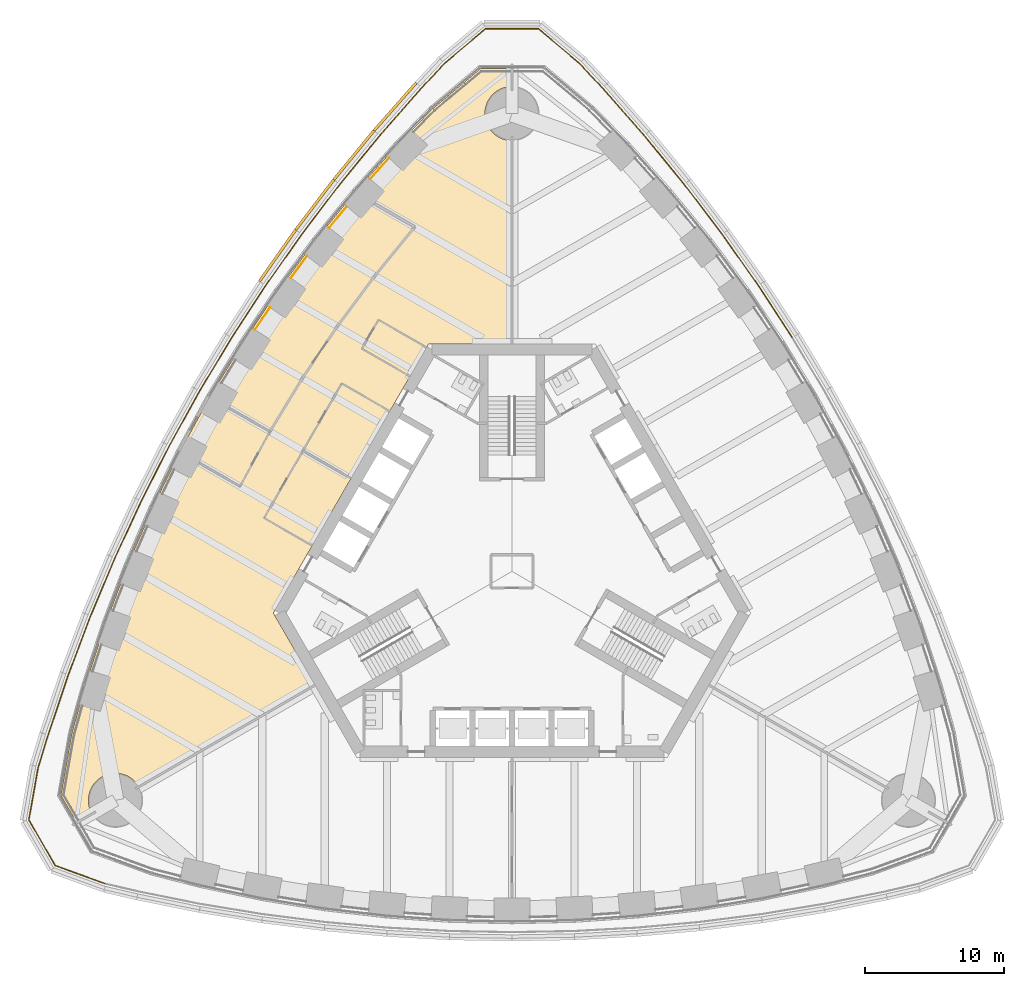
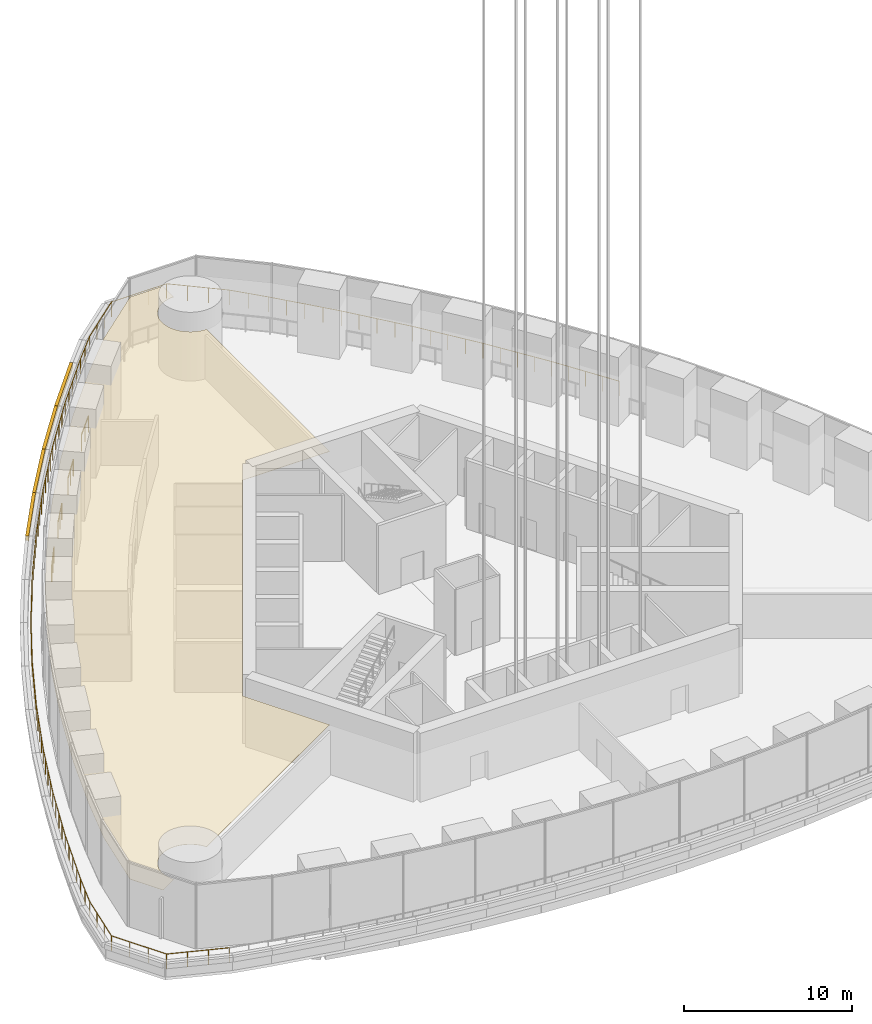
# One storey, part 19 of 31: 5 coverings, 5 railings.
"""IFC4 building model written with IfcOpenShell, lengths in metres."""

from ifc_helpers import new_model, si_unit, direction, frame, origin, origin_2d, place, context, subcontext, project, spatial, polyline, rectangle, circle, outline, extrude, material, layer, layer_set, type_object, element, save


model = new_model("IFC4")

# Units and contexts
model_context = context("Model", 3, precision=1e-05, world=origin(), true_north=direction((0.0, 1.0)))
body_context = subcontext(model_context, "Body", "Model", "MODEL_VIEW")
ifc_project = project(units=[si_unit("LENGTHUNIT", "METRE"), si_unit("AREAUNIT", "SQUARE_METRE"), si_unit("VOLUMEUNIT", "CUBIC_METRE"), si_unit("PLANEANGLEUNIT", "RADIAN"), si_unit("MASSUNIT", "GRAM", prefix="KILO")], contexts=[model_context])

# Site, building, storey
site_placement = place(None, origin())
site = spatial("IfcSite", under=ifc_project, at=site_placement, CompositionType="ELEMENT")
building_placement = place(site_placement, origin())
building = spatial("IfcBuilding", under=site, at=building_placement, Name="Trefoil Bronze Tower", CompositionType="ELEMENT")
storey_placement = place(building_placement, frame((0.0, 0.0, 184.699951171875)))
storey = spatial("IfcBuildingStorey", under=building, at=storey_placement, Name="L42", CompositionType="ELEMENT", Elevation=184.699951171875)

# Covering
ifc_material_1 = material(Name="Bronze metal ceiling panels", Category="metal")
ifc_layer = layer(ifc_material_1, 0.02001953125)
ifc_layer_set = layer_set([ifc_layer], Name="Feature ceiling 20")
covering_type_1 = type_object("IfcCoveringType", Name="Feature ceiling 20", PredefinedType="CEILING", material=ifc_layer_set)
covering_1_placement = place(storey_placement, frame((0.0, 0.0, 3.60009765625)))
element("IfcCovering", 1, at=covering_1_placement, inside=storey, type_object=covering_type_1, Name="Ceiling L42 Fitness centre F3", PredefinedType="CEILING", context=body_context, shape_type="SweptSolid", body=[
    extrude(outline(polyline([(-30.76318359375, -8.219482421875), (-29.3369140625, -3.846923828125), (-27.7216796875, 0.416748046875), (-25.92236328125, 4.573974609375), (-23.94140625, 8.62646484375), (-21.781005859375, 12.5751953125), (-19.44140625, 16.420654296875), (-16.92236328125, 20.162353515625), (-14.2216796875, 23.79931640625), (-11.3369140625, 27.329833984375), (-8.26318359375, 30.751708984375), (-5.7734375, 33.30126953125), (-2.280029296875, 36.232666015625), (-0.013671875, 36.232666015625), (-0.01318359375, 34.94970703125), (-0.095703125, 34.94775390625), (-0.191162109375, 34.940673828125), (-0.2861328125, 34.928955078125), (-0.38037109375, 34.91259765625), (-0.473876953125, 34.8916015625), (-0.566162109375, 34.865966796875), (-0.656982421875, 34.8359375), (-0.74609375, 34.801513671875), (-0.833740234375, 34.7626953125), (-0.919189453125, 34.7197265625), (-1.00244140625, 34.672607421875), (-1.08349609375, 34.621337890625), (-1.16162109375, 34.56640625), (-1.237060546875, 34.50732421875), (-1.3095703125, 34.44482421875), (-1.37890625, 34.37890625), (-1.44482421875, 34.3095703125), (-1.50732421875, 34.237060546875), (-1.56640625, 34.16162109375), (-1.621337890625, 34.08349609375), (-1.672607421875, 34.00244140625), (-1.7197265625, 33.919189453125), (-1.7626953125, 33.833740234375), (-1.801513671875, 33.74609375), (-1.8359375, 33.656982421875), (-1.865966796875, 33.566162109375), (-1.8916015625, 33.473876953125), (-1.91259765625, 33.38037109375), (-1.928955078125, 33.2861328125), (-1.940673828125, 33.191162109375), (-1.94775390625, 33.095703125), (-1.949951171875, 33.0), (-1.94775390625, 32.904296875), (-1.940673828125, 32.808837890625), (-1.928955078125, 32.7138671875), (-1.91259765625, 32.61962890625), (-1.8916015625, 32.526123046875), (-1.865966796875, 32.433837890625), (-1.8359375, 32.343017578125), (-1.801513671875, 32.25390625), (-1.7626953125, 32.166259765625), (-1.7197265625, 32.080810546875), (-1.672607421875, 31.99755859375), (-1.621337890625, 31.91650390625), (-1.56640625, 31.83837890625), (-1.50732421875, 31.762939453125), (-1.44482421875, 31.6904296875), (-1.37890625, 31.62109375), (-1.3095703125, 31.55517578125), (-1.237060546875, 31.49267578125), (-1.16162109375, 31.43359375), (-1.08349609375, 31.378662109375), (-1.00244140625, 31.327392578125), (-0.919189453125, 31.2802734375), (-0.833740234375, 31.2373046875), (-0.74609375, 31.198486328125), (-0.656982421875, 31.1640625), (-0.566162109375, 31.134033203125), (-0.473876953125, 31.1083984375), (-0.38037109375, 31.08740234375), (-0.2861328125, 31.071044921875), (-0.191162109375, 31.059326171875), (-0.095703125, 31.05224609375), (-0.01171875, 31.05029296875), (-0.006103515625, 16.39990234375), (-6.00439453125, 16.39990234375), (-17.205078125, -3.0), (-14.205810546875, -8.194580078125), (-26.896240234375, -15.51513671875), (-26.95751953125, -15.41650390625), (-27.0126953125, -15.33837890625), (-27.071533203125, -15.262939453125), (-27.134033203125, -15.1904296875), (-27.199951171875, -15.12109375), (-27.269287109375, -15.05517578125), (-27.341796875, -14.99267578125), (-27.417236328125, -14.93359375), (-27.49560546875, -14.878662109375), (-27.576416015625, -14.827392578125), (-27.65966796875, -14.7802734375), (-27.7451171875, -14.7373046875), (-27.83251953125, -14.698486328125), (-27.921875, -14.6640625), (-28.0126953125, -14.634033203125), (-28.10498046875, -14.6083984375), (-28.198486328125, -14.58740234375), (-28.292724609375, -14.571044921875), (-28.3876953125, -14.559326171875), (-28.483154296875, -14.55224609375), (-28.578857421875, -14.550048828125), (-28.674560546875, -14.55224609375), (-28.77001953125, -14.559326171875), (-28.864990234375, -14.571044921875), (-28.959228515625, -14.58740234375), (-29.052490234375, -14.6083984375), (-29.14501953125, -14.634033203125), (-29.23583984375, -14.6640625), (-29.3251953125, -14.698486328125), (-29.41259765625, -14.7373046875), (-29.498046875, -14.7802734375), (-29.581298828125, -14.827392578125), (-29.662109375, -14.878662109375), (-29.740478515625, -14.93359375), (-29.81591796875, -14.99267578125), (-29.888427734375, -15.05517578125), (-29.957763671875, -15.12109375), (-30.023681640625, -15.1904296875), (-30.086181640625, -15.262939453125), (-30.14501953125, -15.33837890625), (-30.2001953125, -15.41650390625), (-30.25146484375, -15.49755859375), (-30.298583984375, -15.580810546875), (-30.341552734375, -15.666259765625), (-30.38037109375, -15.75390625), (-30.414794921875, -15.843017578125), (-30.44482421875, -15.933837890625), (-30.470458984375, -16.026123046875), (-30.491455078125, -16.11962890625), (-30.5078125, -16.2138671875), (-30.519287109375, -16.308837890625), (-30.526611328125, -16.404296875), (-30.52880859375, -16.5), (-30.526611328125, -16.595703125), (-30.519287109375, -16.691162109375), (-30.5078125, -16.7861328125), (-30.491455078125, -16.88037109375), (-30.470458984375, -16.973876953125), (-30.44482421875, -17.066162109375), (-30.414794921875, -17.156982421875), (-30.38037109375, -17.24609375), (-30.341552734375, -17.333740234375), (-30.298583984375, -17.419189453125), (-30.273681640625, -17.46337890625), (-31.385009765625, -18.1044921875), (-32.518310546875, -16.1416015625), (-31.7265625, -11.650634765625), (-30.76318359375, -8.219482421875)])), origin(), (0.0, 0.0, 1.0), 0.02001953125),
])

# Railings
ifc_material_2 = material(Name="Bronze-finish steel guard rail and posts", Category="steel")
railing_type_1 = type_object("IfcRailingType", Name="Glazing guard 1200", PredefinedType="GUARDRAIL", material=ifc_material_2)
railing_1_placement = place(storey_placement, frame((-8.86474609375, 29.789306640625, 0.0)))
element("IfcRailing", 2, at=railing_1_placement, inside=storey, type_object=railing_type_1, Name="Glazing guard L42.29", PredefinedType="GUARDRAIL", context=body_context, shape_type="SweptSolid", body=[
    extrude(circle(Radius=0.02392578125, at=origin_2d()), frame((0.0, 0.0, 1.17578125), z_axis=(-0.668212458331, -0.743970503805, 0.0), x_axis=(0.743970503805, -0.668212458331, 0.0)), (0.0, 0.0, 1.0), 2.027099609375),
    extrude(circle(Radius=0.02099609375, at=origin_2d()), origin(), (0.0, 0.0, 1.0), 1.15185546875),
    extrude(circle(Radius=0.02099609375, at=origin_2d()), frame((-0.67724609375, -0.75390625, 0.0)), (0.0, 0.0, 1.0), 1.15185546875),
    extrude(circle(Radius=0.02099609375, at=origin_2d()), frame((-1.3544921875, -1.508056640625, 0.0)), (0.0, 0.0, 1.0), 1.15185546875),
])
railing_2_placement = place(storey_placement, frame((-11.9150390625, 26.310302734375, 0.0)))
element("IfcRailing", 3, at=railing_2_placement, inside=storey, type_object=railing_type_1, Name="Glazing guard L42.30", PredefinedType="GUARDRAIL", context=body_context, shape_type="SweptSolid", body=[
    extrude(circle(Radius=0.02392578125, at=origin_2d()), frame((0.0, 0.0, 1.17578125), z_axis=(-0.632735969406, -0.774367608452, 0.0), x_axis=(0.774367608452, -0.632735969406, 0.0)), (0.0, 0.0, 1.0), 1.987548828125),
    extrude(circle(Radius=0.02099609375, at=origin_2d()), origin(), (0.0, 0.0, 1.0), 1.15185546875),
    extrude(circle(Radius=0.02099609375, at=origin_2d()), frame((-0.62890625, -0.76953125, 0.0)), (0.0, 0.0, 1.0), 1.15185546875),
    extrude(circle(Radius=0.02099609375, at=origin_2d()), frame((-1.257568359375, -1.5390625, 0.0)), (0.0, 0.0, 1.0), 1.15185546875),
])
railing_3_placement = place(storey_placement, frame((-14.773681640625, 22.72265625, 0.0)))
element("IfcRailing", 4, at=railing_3_placement, inside=storey, type_object=railing_type_1, Name="Glazing guard L42.31", PredefinedType="GUARDRAIL", context=body_context, shape_type="SweptSolid", body=[
    extrude(circle(Radius=0.02392578125, at=origin_2d()), frame((0.0, 0.0, 1.17578125), z_axis=(-0.596202309581, -0.802834233232, 0.0), x_axis=(0.802834233232, -0.596202309581, 0.0)), (0.0, 0.0, 1.0), 1.957763671875),
    extrude(circle(Radius=0.02099609375, at=origin_2d()), origin(), (0.0, 0.0, 1.0), 1.15185546875),
    extrude(circle(Radius=0.02099609375, at=origin_2d()), frame((-0.58349609375, -0.785888671875, 0.0)), (0.0, 0.0, 1.0), 1.15185546875),
    extrude(circle(Radius=0.02099609375, at=origin_2d()), frame((-1.167236328125, -1.57177734375, 0.0)), (0.0, 0.0, 1.0), 1.15185546875),
])
railing_4_placement = place(storey_placement, frame((-17.4443359375, 19.02978515625, 0.0)))
element("IfcRailing", 5, at=railing_4_placement, inside=storey, type_object=railing_type_1, Name="Glazing guard L42.32", PredefinedType="GUARDRAIL", context=body_context, shape_type="SweptSolid", body=[
    extrude(circle(Radius=0.02392578125, at=origin_2d()), frame((0.0, 0.0, 1.17578125), z_axis=(-0.558503087208, -0.829502442178, 0.0), x_axis=(0.829502442178, -0.558503087208, 0.0)), (0.0, 0.0, 1.0), 1.937744140625),
    extrude(circle(Radius=0.02099609375, at=origin_2d()), origin(), (0.0, 0.0, 1.0), 1.15185546875),
    extrude(circle(Radius=0.02099609375, at=origin_2d()), frame((-0.541015625, -0.8037109375, 0.0)), (0.0, 0.0, 1.0), 1.15185546875),
    extrude(circle(Radius=0.02099609375, at=origin_2d()), frame((-1.082275390625, -1.607421875, 0.0)), (0.0, 0.0, 1.0), 1.15185546875),
])
ifc_material_3 = material(Name="Galvanised steel guard rail and posts", Category="steel")
railing_type_2 = type_object("IfcRailingType", Name="Roof edge guard 1100", PredefinedType="GUARDRAIL", material=ifc_material_3)
railing_5_placement = place(storey_placement, frame((20.196044921875, 16.8564453125, 0.300048828125)))
element("IfcRailing", 6, at=railing_5_placement, inside=storey, type_object=railing_type_2, Name="Roof edge guard L42.2 maintenance access only", PredefinedType="GUARDRAIL", context=body_context, shape_type="SweptSolid", body=[
    extrude(circle(Radius=0.02392578125, at=origin_2d()), frame((0.0, 0.0, 1.076171875), z_axis=(-0.546094247499, 0.837723744948, 0.0), x_axis=(-0.837723744948, -0.546094247499, 0.0)), (0.0, 0.0, 1.0), 4.50634765625),
    extrude(circle(Radius=0.02392578125, at=origin_2d()), frame((-2.4609375, 3.775146484375, 1.076171875), z_axis=(-0.575987178736, 0.817458726745, 0.0), x_axis=(-0.817458726745, -0.575987178736, 0.0)), (0.0, 0.0, 1.0), 4.518310546875),
    extrude(circle(Radius=0.02392578125, at=origin_2d()), frame((-5.0634765625, 7.46875, 1.076171875), z_axis=(-0.605248368565, 0.796036690329, 0.0), x_axis=(-0.796036690329, -0.605248368565, 0.0)), (0.0, 0.0, 1.0), 4.536376953125),
    extrude(circle(Radius=0.02392578125, at=origin_2d()), frame((-7.80908203125, 11.079833984375, 1.076171875), z_axis=(-0.633843962561, 0.773460943503, 0.0), x_axis=(-0.773460943503, -0.633843962561, 0.0)), (0.0, 0.0, 1.0), 4.560546875),
    extrude(circle(Radius=0.02392578125, at=origin_2d()), frame((-10.69970703125, 14.607177734375, 1.076171875), z_axis=(-0.661758815281, 0.749716793461, 0.0), x_axis=(-0.749716793461, -0.661758815281, 0.0)), (0.0, 0.0, 1.0), 4.5908203125),
    extrude(circle(Radius=0.02392578125, at=origin_2d()), frame((-13.73779296875, 18.049072265625, 1.076171875), z_axis=(-0.682533872246, 0.730853961635, 0.0), x_axis=(-0.730853961635, -0.682533872246, 0.0)), (0.0, 0.0, 1.0), 2.420166015625),
    extrude(circle(Radius=0.02392578125, at=origin_2d()), frame((-15.3896484375, 19.81787109375, 1.076171875), z_axis=(-0.766024012698, 0.642811956928, 0.0), x_axis=(-0.642811956928, -0.766024012698, 0.0)), (0.0, 0.0, 1.0), 3.79638671875),
    extrude(circle(Radius=0.02392578125, at=origin_2d()), frame((-18.2978515625, 22.25830078125, 1.076171875), z_axis=(-1.0, 0.0, 0.0), x_axis=(0.0, -1.0, 0.0)), (0.0, 0.0, 1.0), 3.79638671875),
    extrude(circle(Radius=0.02392578125, at=origin_2d()), frame((-22.09423828125, 22.25830078125, 1.076171875), z_axis=(-0.766024012698, -0.642811956928, 0.0), x_axis=(0.642811956928, -0.766024012698, 0.0)), (0.0, 0.0, 1.0), 3.79638671875),
    extrude(circle(Radius=0.02392578125, at=origin_2d()), frame((-25.00244140625, 19.81787109375, 1.076171875), z_axis=(-0.682533872246, -0.730853961635, 0.0), x_axis=(0.730853961635, -0.682533872246, 0.0)), (0.0, 0.0, 1.0), 2.420166015625),
    extrude(circle(Radius=0.02392578125, at=origin_2d()), frame((-26.654296875, 18.049072265625, 1.076171875), z_axis=(-0.661758815281, -0.749716793461, 0.0), x_axis=(0.749716793461, -0.661758815281, 0.0)), (0.0, 0.0, 1.0), 4.5908203125),
    extrude(circle(Radius=0.02392578125, at=origin_2d()), frame((-29.6923828125, 14.607177734375, 1.076171875), z_axis=(-0.633843962561, -0.773460943503, 0.0), x_axis=(0.773460943503, -0.633843962561, 0.0)), (0.0, 0.0, 1.0), 4.560546875),
    extrude(circle(Radius=0.02392578125, at=origin_2d()), frame((-32.5830078125, 11.079833984375, 1.076171875), z_axis=(-0.605248368565, -0.796036690329, 0.0), x_axis=(0.796036690329, -0.605248368565, 0.0)), (0.0, 0.0, 1.0), 4.536376953125),
    extrude(circle(Radius=0.02392578125, at=origin_2d()), frame((-35.32861328125, 7.46875, 1.076171875), z_axis=(-0.575987178736, -0.817458726745, 0.0), x_axis=(0.817458726745, -0.575987178736, 0.0)), (0.0, 0.0, 1.0), 4.518310546875),
    extrude(circle(Radius=0.02392578125, at=origin_2d()), frame((-37.93115234375, 3.775146484375, 1.076171875), z_axis=(-0.546094247499, -0.837723744948, 0.0), x_axis=(0.837723744948, -0.546094247499, 0.0)), (0.0, 0.0, 1.0), 4.50634765625),
    extrude(circle(Radius=0.02392578125, at=origin_2d()), frame((-40.39208984375, 0.0, 1.076171875), z_axis=(-0.515524404457, -0.856874896592, 0.0), x_axis=(0.856874896592, -0.515524404457, 0.0)), (0.0, 0.0, 1.0), 4.5009765625),
    extrude(circle(Radius=0.02392578125, at=origin_2d()), frame((-42.71240234375, -3.856689453125, 1.076171875), z_axis=(-0.484315883017, -0.87489320803, 0.0), x_axis=(0.87489320803, -0.484315883017, 0.0)), (0.0, 0.0, 1.0), 4.50048828125),
    extrude(circle(Radius=0.02392578125, at=origin_2d()), frame((-44.89208984375, -7.794189453125, 1.076171875), z_axis=(-0.452449820092, -0.891789863308, 0.0), x_axis=(0.891789863308, -0.452449820092, 0.0)), (0.0, 0.0, 1.0), 4.5068359375),
    extrude(circle(Radius=0.02392578125, at=origin_2d()), frame((-46.93115234375, -11.813232421875, 1.076171875), z_axis=(-0.419948870618, -0.907547765171, 0.0), x_axis=(0.907547765171, -0.419948870618, 0.0)), (0.0, 0.0, 1.0), 4.518310546875),
    extrude(circle(Radius=0.02392578125, at=origin_2d()), frame((-48.82861328125, -15.913818359375, 1.076171875), z_axis=(-0.386742917128, -0.92218757097, 0.0), x_axis=(0.92218757097, -0.386742917128, 0.0)), (0.0, 0.0, 1.0), 4.536376953125),
    extrude(circle(Radius=0.02392578125, at=origin_2d()), frame((-50.5830078125, -20.09716796875, 1.076171875), z_axis=(-0.35291223767, -0.935656428665, 0.0), x_axis=(0.935656428665, -0.35291223767, 0.0)), (0.0, 0.0, 1.0), 4.560302734375),
    extrude(circle(Radius=0.02392578125, at=origin_2d()), frame((-52.1923828125, -24.364013671875, 1.076171875), z_axis=(-0.318412422979, -0.94795228197, 0.0), x_axis=(0.94795228197, -0.318412422979, 0.0)), (0.0, 0.0, 1.0), 4.59130859375),
    extrude(circle(Radius=0.02392578125, at=origin_2d()), frame((-53.654296875, -28.71630859375, 1.076171875), z_axis=(-0.29166741181, -0.956519796391, 0.0), x_axis=(0.956519796391, -0.29166741181, 0.0)), (0.0, 0.0, 1.0), 2.419921875),
    extrude(circle(Radius=0.02392578125, at=origin_2d()), frame((-54.360107421875, -31.031005859375, 1.076171875), z_axis=(-0.173693619934, -0.984799739233, 0.0), x_axis=(0.984799739233, -0.173693619934, 0.0)), (0.0, 0.0, 1.0), 3.79638671875),
    extrude(circle(Radius=0.02392578125, at=origin_2d()), frame((-55.01953125, -34.769775390625, 1.076171875), z_axis=(0.50003973666, -0.866002460597, 0.0), x_axis=(0.866002460597, 0.50003973666, 0.0)), (0.0, 0.0, 1.0), 3.796630859375),
    extrude(circle(Radius=0.02392578125, at=origin_2d()), frame((-53.12109375, -38.0576171875, 1.076171875), z_axis=(0.939678835491, -0.342058015739, 0.0), x_axis=(0.342058015739, 0.939678835491, 0.0)), (0.0, 0.0, 1.0), 3.79638671875),
    extrude(circle(Radius=0.02099609375, at=origin_2d()), origin(), (0.0, 0.0, 1.0), 1.052001953125),
    extrude(circle(Radius=0.02099609375, at=origin_2d()), frame((-0.615234375, 0.94384765625, 0.0)), (0.0, 0.0, 1.0), 1.052001953125),
    extrude(circle(Radius=0.02099609375, at=origin_2d()), frame((-1.23046875, 1.8876953125, 0.0)), (0.0, 0.0, 1.0), 1.052001953125),
    extrude(circle(Radius=0.02099609375, at=origin_2d()), frame((-1.845703125, 2.831298828125, 0.0)), (0.0, 0.0, 1.0), 1.052001953125),
    extrude(circle(Radius=0.02099609375, at=origin_2d()), frame((-2.4609375, 3.775146484375, 0.0)), (0.0, 0.0, 1.0), 1.052001953125),
    extrude(circle(Radius=0.02099609375, at=origin_2d()), frame((-3.111572265625, 4.698486328125, 0.0)), (0.0, 0.0, 1.0), 1.052001953125),
    extrude(circle(Radius=0.02099609375, at=origin_2d()), frame((-3.76220703125, 5.6220703125, 0.0)), (0.0, 0.0, 1.0), 1.052001953125),
    extrude(circle(Radius=0.02099609375, at=origin_2d()), frame((-4.412841796875, 6.54541015625, 0.0)), (0.0, 0.0, 1.0), 1.052001953125),
    extrude(circle(Radius=0.02099609375, at=origin_2d()), frame((-5.0634765625, 7.46875, 0.0)), (0.0, 0.0, 1.0), 1.052001953125),
    extrude(circle(Radius=0.02099609375, at=origin_2d()), frame((-5.75, 8.37158203125, 0.0)), (0.0, 0.0, 1.0), 1.052001953125),
    extrude(circle(Radius=0.02099609375, at=origin_2d()), frame((-6.436279296875, 9.2744140625, 0.0)), (0.0, 0.0, 1.0), 1.052001953125),
    extrude(circle(Radius=0.02099609375, at=origin_2d()), frame((-7.12255859375, 10.177001953125, 0.0)), (0.0, 0.0, 1.0), 1.052001953125),
    extrude(circle(Radius=0.02099609375, at=origin_2d()), frame((-7.80908203125, 11.079833984375, 0.0)), (0.0, 0.0, 1.0), 1.052001953125),
    extrude(circle(Radius=0.02099609375, at=origin_2d()), frame((-8.53173828125, 11.961669921875, 0.0)), (0.0, 0.0, 1.0), 1.052001953125),
    extrude(circle(Radius=0.02099609375, at=origin_2d()), frame((-9.25439453125, 12.843505859375, 0.0)), (0.0, 0.0, 1.0), 1.052001953125),
    extrude(circle(Radius=0.02099609375, at=origin_2d()), frame((-9.97705078125, 13.725341796875, 0.0)), (0.0, 0.0, 1.0), 1.052001953125),
    extrude(circle(Radius=0.02099609375, at=origin_2d()), frame((-10.69970703125, 14.607177734375, 0.0)), (0.0, 0.0, 1.0), 1.052001953125),
    extrude(circle(Radius=0.02099609375, at=origin_2d()), frame((-11.459228515625, 15.4677734375, 0.0)), (0.0, 0.0, 1.0), 1.052001953125),
    extrude(circle(Radius=0.02099609375, at=origin_2d()), frame((-12.21875, 16.328125, 0.0)), (0.0, 0.0, 1.0), 1.052001953125),
    extrude(circle(Radius=0.02099609375, at=origin_2d()), frame((-12.978271484375, 17.1884765625, 0.0)), (0.0, 0.0, 1.0), 1.052001953125),
    extrude(circle(Radius=0.02099609375, at=origin_2d()), frame((-13.73779296875, 18.049072265625, 0.0)), (0.0, 0.0, 1.0), 1.052001953125),
    extrude(circle(Radius=0.02099609375, at=origin_2d()), frame((-14.563720703125, 18.93359375, 0.0)), (0.0, 0.0, 1.0), 1.052001953125),
    extrude(circle(Radius=0.02099609375, at=origin_2d()), frame((-15.3896484375, 19.81787109375, 0.0)), (0.0, 0.0, 1.0), 1.052001953125),
    extrude(circle(Radius=0.02099609375, at=origin_2d()), frame((-16.359130859375, 20.63134765625, 0.0)), (0.0, 0.0, 1.0), 1.052001953125),
    extrude(circle(Radius=0.02099609375, at=origin_2d()), frame((-17.328369140625, 21.44482421875, 0.0)), (0.0, 0.0, 1.0), 1.052001953125),
    extrude(circle(Radius=0.02099609375, at=origin_2d()), frame((-18.2978515625, 22.25830078125, 0.0)), (0.0, 0.0, 1.0), 1.052001953125),
    extrude(circle(Radius=0.02099609375, at=origin_2d()), frame((-19.563232421875, 22.25830078125, 0.0)), (0.0, 0.0, 1.0), 1.052001953125),
    extrude(circle(Radius=0.02099609375, at=origin_2d()), frame((-20.828857421875, 22.25830078125, 0.0)), (0.0, 0.0, 1.0), 1.052001953125),
    extrude(circle(Radius=0.02099609375, at=origin_2d()), frame((-22.09423828125, 22.25830078125, 0.0)), (0.0, 0.0, 1.0), 1.052001953125),
    extrude(circle(Radius=0.02099609375, at=origin_2d()), frame((-23.063720703125, 21.44482421875, 0.0)), (0.0, 0.0, 1.0), 1.052001953125),
    extrude(circle(Radius=0.02099609375, at=origin_2d()), frame((-24.032958984375, 20.63134765625, 0.0)), (0.0, 0.0, 1.0), 1.052001953125),
    extrude(circle(Radius=0.02099609375, at=origin_2d()), frame((-25.00244140625, 19.81787109375, 0.0)), (0.0, 0.0, 1.0), 1.052001953125),
    extrude(circle(Radius=0.02099609375, at=origin_2d()), frame((-25.828369140625, 18.93359375, 0.0)), (0.0, 0.0, 1.0), 1.052001953125),
    extrude(circle(Radius=0.02099609375, at=origin_2d()), frame((-26.654296875, 18.049072265625, 0.0)), (0.0, 0.0, 1.0), 1.052001953125),
    extrude(circle(Radius=0.02099609375, at=origin_2d()), frame((-27.413818359375, 17.1884765625, 0.0)), (0.0, 0.0, 1.0), 1.052001953125),
    extrude(circle(Radius=0.02099609375, at=origin_2d()), frame((-28.17333984375, 16.328125, 0.0)), (0.0, 0.0, 1.0), 1.052001953125),
    extrude(circle(Radius=0.02099609375, at=origin_2d()), frame((-28.932861328125, 15.4677734375, 0.0)), (0.0, 0.0, 1.0), 1.052001953125),
    extrude(circle(Radius=0.02099609375, at=origin_2d()), frame((-29.6923828125, 14.607177734375, 0.0)), (0.0, 0.0, 1.0), 1.052001953125),
    extrude(circle(Radius=0.02099609375, at=origin_2d()), frame((-30.4150390625, 13.725341796875, 0.0)), (0.0, 0.0, 1.0), 1.052001953125),
    extrude(circle(Radius=0.02099609375, at=origin_2d()), frame((-31.1376953125, 12.843505859375, 0.0)), (0.0, 0.0, 1.0), 1.052001953125),
    extrude(circle(Radius=0.02099609375, at=origin_2d()), frame((-31.8603515625, 11.961669921875, 0.0)), (0.0, 0.0, 1.0), 1.052001953125),
    extrude(circle(Radius=0.02099609375, at=origin_2d()), frame((-32.5830078125, 11.079833984375, 0.0)), (0.0, 0.0, 1.0), 1.052001953125),
    extrude(circle(Radius=0.02099609375, at=origin_2d()), frame((-33.26953125, 10.177001953125, 0.0)), (0.0, 0.0, 1.0), 1.052001953125),
    extrude(circle(Radius=0.02099609375, at=origin_2d()), frame((-33.955810546875, 9.2744140625, 0.0)), (0.0, 0.0, 1.0), 1.052001953125),
    extrude(circle(Radius=0.02099609375, at=origin_2d()), frame((-34.64208984375, 8.37158203125, 0.0)), (0.0, 0.0, 1.0), 1.052001953125),
    extrude(circle(Radius=0.02099609375, at=origin_2d()), frame((-35.32861328125, 7.46875, 0.0)), (0.0, 0.0, 1.0), 1.052001953125),
    extrude(circle(Radius=0.02099609375, at=origin_2d()), frame((-35.979248046875, 6.54541015625, 0.0)), (0.0, 0.0, 1.0), 1.052001953125),
    extrude(circle(Radius=0.02099609375, at=origin_2d()), frame((-36.6298828125, 5.6220703125, 0.0)), (0.0, 0.0, 1.0), 1.052001953125),
    extrude(circle(Radius=0.02099609375, at=origin_2d()), frame((-37.280517578125, 4.698486328125, 0.0)), (0.0, 0.0, 1.0), 1.052001953125),
    extrude(circle(Radius=0.02099609375, at=origin_2d()), frame((-37.93115234375, 3.775146484375, 0.0)), (0.0, 0.0, 1.0), 1.052001953125),
    extrude(circle(Radius=0.02099609375, at=origin_2d()), frame((-38.54638671875, 2.831298828125, 0.0)), (0.0, 0.0, 1.0), 1.052001953125),
    extrude(circle(Radius=0.02099609375, at=origin_2d()), frame((-39.16162109375, 1.8876953125, 0.0)), (0.0, 0.0, 1.0), 1.052001953125),
    extrude(circle(Radius=0.02099609375, at=origin_2d()), frame((-39.77685546875, 0.94384765625, 0.0)), (0.0, 0.0, 1.0), 1.052001953125),
    extrude(circle(Radius=0.02099609375, at=origin_2d()), frame((-40.39208984375, 0.0, 0.0)), (0.0, 0.0, 1.0), 1.052001953125),
    extrude(circle(Radius=0.02099609375, at=origin_2d()), frame((-40.97216796875, -0.964111328125, 0.0)), (0.0, 0.0, 1.0), 1.052001953125),
    extrude(circle(Radius=0.02099609375, at=origin_2d()), frame((-41.55224609375, -1.92822265625, 0.0)), (0.0, 0.0, 1.0), 1.052001953125),
    extrude(circle(Radius=0.02099609375, at=origin_2d()), frame((-42.13232421875, -2.892578125, 0.0)), (0.0, 0.0, 1.0), 1.052001953125),
    extrude(circle(Radius=0.02099609375, at=origin_2d()), frame((-42.71240234375, -3.856689453125, 0.0)), (0.0, 0.0, 1.0), 1.052001953125),
    extrude(circle(Radius=0.02099609375, at=origin_2d()), frame((-43.25732421875, -4.841064453125, 0.0)), (0.0, 0.0, 1.0), 1.052001953125),
    extrude(circle(Radius=0.02099609375, at=origin_2d()), frame((-43.80224609375, -5.825439453125, 0.0)), (0.0, 0.0, 1.0), 1.052001953125),
    extrude(circle(Radius=0.02099609375, at=origin_2d()), frame((-44.34716796875, -6.809814453125, 0.0)), (0.0, 0.0, 1.0), 1.052001953125),
    extrude(circle(Radius=0.02099609375, at=origin_2d()), frame((-44.89208984375, -7.794189453125, 0.0)), (0.0, 0.0, 1.0), 1.052001953125),
    extrude(circle(Radius=0.02099609375, at=origin_2d()), frame((-45.40185546875, -8.798828125, 0.0)), (0.0, 0.0, 1.0), 1.052001953125),
    extrude(circle(Radius=0.02099609375, at=origin_2d()), frame((-45.91162109375, -9.8037109375, 0.0)), (0.0, 0.0, 1.0), 1.052001953125),
    extrude(circle(Radius=0.02099609375, at=origin_2d()), frame((-46.42138671875, -10.80859375, 0.0)), (0.0, 0.0, 1.0), 1.052001953125),
    extrude(circle(Radius=0.02099609375, at=origin_2d()), frame((-46.93115234375, -11.813232421875, 0.0)), (0.0, 0.0, 1.0), 1.052001953125),
    extrude(circle(Radius=0.02099609375, at=origin_2d()), frame((-47.405517578125, -12.83837890625, 0.0)), (0.0, 0.0, 1.0), 1.052001953125),
    extrude(circle(Radius=0.02099609375, at=origin_2d()), frame((-47.8798828125, -13.863525390625, 0.0)), (0.0, 0.0, 1.0), 1.052001953125),
    extrude(circle(Radius=0.02099609375, at=origin_2d()), frame((-48.354248046875, -14.888671875, 0.0)), (0.0, 0.0, 1.0), 1.052001953125),
    extrude(circle(Radius=0.02099609375, at=origin_2d()), frame((-48.82861328125, -15.913818359375, 0.0)), (0.0, 0.0, 1.0), 1.052001953125),
    extrude(circle(Radius=0.02099609375, at=origin_2d()), frame((-49.26708984375, -16.959716796875, 0.0)), (0.0, 0.0, 1.0), 1.052001953125),
    extrude(circle(Radius=0.02099609375, at=origin_2d()), frame((-49.705810546875, -18.00537109375, 0.0)), (0.0, 0.0, 1.0), 1.052001953125),
    extrude(circle(Radius=0.02099609375, at=origin_2d()), frame((-50.14453125, -19.05126953125, 0.0)), (0.0, 0.0, 1.0), 1.052001953125),
    extrude(circle(Radius=0.02099609375, at=origin_2d()), frame((-50.5830078125, -20.09716796875, 0.0)), (0.0, 0.0, 1.0), 1.052001953125),
    extrude(circle(Radius=0.02099609375, at=origin_2d()), frame((-50.9853515625, -21.163818359375, 0.0)), (0.0, 0.0, 1.0), 1.052001953125),
    extrude(circle(Radius=0.02099609375, at=origin_2d()), frame((-51.3876953125, -22.23046875, 0.0)), (0.0, 0.0, 1.0), 1.052001953125),
    extrude(circle(Radius=0.02099609375, at=origin_2d()), frame((-51.7900390625, -23.29736328125, 0.0)), (0.0, 0.0, 1.0), 1.052001953125),
    extrude(circle(Radius=0.02099609375, at=origin_2d()), frame((-52.1923828125, -24.364013671875, 0.0)), (0.0, 0.0, 1.0), 1.052001953125),
    extrude(circle(Radius=0.02099609375, at=origin_2d()), frame((-52.557861328125, -25.4521484375, 0.0)), (0.0, 0.0, 1.0), 1.052001953125),
    extrude(circle(Radius=0.02099609375, at=origin_2d()), frame((-52.92333984375, -26.5400390625, 0.0)), (0.0, 0.0, 1.0), 1.052001953125),
    extrude(circle(Radius=0.02099609375, at=origin_2d()), frame((-53.288818359375, -27.628173828125, 0.0)), (0.0, 0.0, 1.0), 1.052001953125),
    extrude(circle(Radius=0.02099609375, at=origin_2d()), frame((-53.654296875, -28.71630859375, 0.0)), (0.0, 0.0, 1.0), 1.052001953125),
    extrude(circle(Radius=0.02099609375, at=origin_2d()), frame((-54.00732421875, -29.87353515625, 0.0)), (0.0, 0.0, 1.0), 1.052001953125),
    extrude(circle(Radius=0.02099609375, at=origin_2d()), frame((-54.360107421875, -31.031005859375, 0.0)), (0.0, 0.0, 1.0), 1.052001953125),
    extrude(circle(Radius=0.02099609375, at=origin_2d()), frame((-54.579833984375, -32.27734375, 0.0)), (0.0, 0.0, 1.0), 1.052001953125),
    extrude(circle(Radius=0.02099609375, at=origin_2d()), frame((-54.7998046875, -33.5234375, 0.0)), (0.0, 0.0, 1.0), 1.052001953125),
    extrude(circle(Radius=0.02099609375, at=origin_2d()), frame((-55.01953125, -34.769775390625, 0.0)), (0.0, 0.0, 1.0), 1.052001953125),
    extrude(circle(Radius=0.02099609375, at=origin_2d()), frame((-54.38671875, -35.86572265625, 0.0)), (0.0, 0.0, 1.0), 1.052001953125),
    extrude(circle(Radius=0.02099609375, at=origin_2d()), frame((-53.75390625, -36.961669921875, 0.0)), (0.0, 0.0, 1.0), 1.052001953125),
    extrude(circle(Radius=0.02099609375, at=origin_2d()), frame((-53.12109375, -38.0576171875, 0.0)), (0.0, 0.0, 1.0), 1.052001953125),
    extrude(circle(Radius=0.02099609375, at=origin_2d()), frame((-51.931884765625, -38.490478515625, 0.0)), (0.0, 0.0, 1.0), 1.052001953125),
    extrude(circle(Radius=0.02099609375, at=origin_2d()), frame((-50.742919921875, -38.92333984375, 0.0)), (0.0, 0.0, 1.0), 1.052001953125),
    extrude(circle(Radius=0.02099609375, at=origin_2d()), frame((-49.5537109375, -39.356201171875, 0.0)), (0.0, 0.0, 1.0), 1.052001953125),
])

# Coverings
ifc_material_4 = material(Name="Stepped bronze-finish aluminium cornice", Category="aluminium")
covering_type_2 = type_object("IfcCoveringType", Name="Setback cornice 350x200", PredefinedType="MOLDING", material=ifc_material_4)
covering_2_placement = place(storey_placement, frame((-8.427490234375, 33.495849609375, 0.75), z_axis=(0.0, 0.0, 1.0), x_axis=(-0.661751406057, -0.749723333358, 0.0)))
element("IfcCovering", 7, at=covering_2_placement, inside=storey, type_object=covering_type_2, Name="Setback cornice L42.35", PredefinedType="MOLDING", context=body_context, shape_type="SweptSolid", body=[
    extrude(rectangle(XDim=4.591064453125, YDim=0.199951171875, at=origin_2d()), origin(), (0.0, 0.0, 1.0), 0.35009765625),
])
covering_3_placement = place(storey_placement, frame((-11.397216796875, 30.0048828125, 0.75), z_axis=(0.0, 0.0, 1.0), x_axis=(-0.63383991597, -0.773464259629, 0.0)))
element("IfcCovering", 8, at=covering_3_placement, inside=storey, type_object=covering_type_2, Name="Setback cornice L42.36", PredefinedType="MOLDING", context=body_context, shape_type="SweptSolid", body=[
    extrude(rectangle(XDim=4.560302734375, YDim=0.199951171875, at=origin_2d()), origin(), (0.0, 0.0, 1.0), 0.35009765625),
])
covering_4_placement = place(storey_placement, frame((-14.22021484375, 26.429443359375, 0.75), z_axis=(0.0, 0.0, 1.0), x_axis=(-0.605252319997, -0.796033685932, 0.0)))
element("IfcCovering", 9, at=covering_4_placement, inside=storey, type_object=covering_type_2, Name="Setback cornice L42.37", PredefinedType="MOLDING", context=body_context, shape_type="SweptSolid", body=[
    extrude(rectangle(XDim=4.5361328125, YDim=0.199951171875, at=origin_2d()), origin(), (0.0, 0.0, 1.0), 0.35009765625),
])
covering_5_placement = place(storey_placement, frame((-16.899169921875, 22.7705078125, 0.75), z_axis=(0.0, 0.0, 1.0), x_axis=(-0.575999283347, -0.817450197617, 0.0)))
element("IfcCovering", 10, at=covering_5_placement, inside=storey, type_object=covering_type_2, Name="Setback cornice L42.38", PredefinedType="MOLDING", context=body_context, shape_type="SweptSolid", body=[
    extrude(rectangle(XDim=4.518310546875, YDim=0.199951171875, at=origin_2d()), origin(), (0.0, 0.0, 1.0), 0.35009765625),
])

save(model, "model.ifc")
